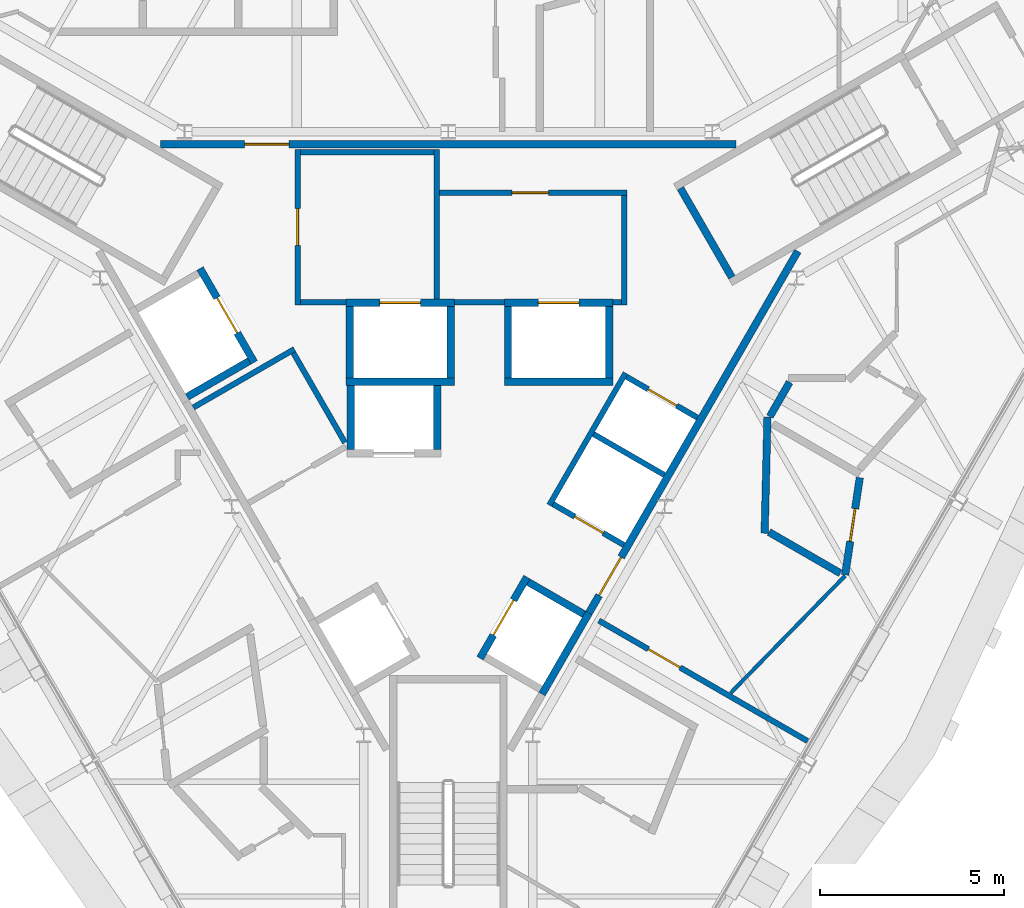
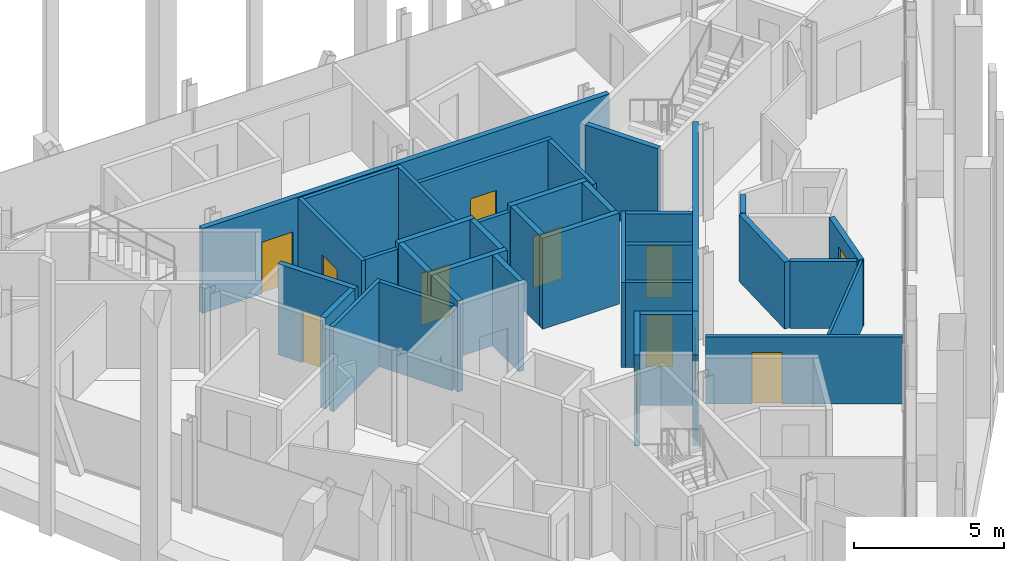
# One storey, part 9 of 13: 38 walls, 12 doors, 12 openings.
"""IFC4 building model written with IfcOpenShell, lengths in metres."""

from ifc_helpers import new_model, si_unit, direction, frame, frame_2d, origin, place, context, subcontext, project, spatial, rectangle, extrude, material, layer, layer_set, type_object, element, fill, save


model = new_model("IFC4")

# Units and contexts
model_context = context("Model", 3, precision=1e-05, world=origin(), true_north=direction((0.0, 1.0)))
body_context = subcontext(model_context, "Body", "Model", "MODEL_VIEW")
ifc_project = project(units=[si_unit("LENGTHUNIT", "METRE"), si_unit("AREAUNIT", "SQUARE_METRE"), si_unit("VOLUMEUNIT", "CUBIC_METRE"), si_unit("PLANEANGLEUNIT", "RADIAN"), si_unit("MASSUNIT", "GRAM", prefix="KILO")], contexts=[model_context])

# Site, building, storey
site_placement = place(None, origin())
site = spatial("IfcSite", under=ifc_project, at=site_placement, CompositionType="ELEMENT")
building_placement = place(site_placement, origin())
building = spatial("IfcBuilding", under=site, at=building_placement, Name="Verrane Prism Tower", CompositionType="ELEMENT")
storey_placement = place(building_placement, frame((0.0, 0.0, 275.10009765625)))
storey = spatial("IfcBuildingStorey", under=building, at=storey_placement, Name="L69", CompositionType="ELEMENT", Elevation=275.10009765625)

# Wall, opening, door
ifc_material_1 = material(Name="Gypsum board partition", Category="other")
ifc_layer_1 = layer(ifc_material_1, 0.199951171875)
ifc_layer_set_1 = layer_set([ifc_layer_1], Name="CW-200 core boundary wall 2 h")
wall_type_1 = type_object("IfcWallType", Name="CW-200 core boundary wall 2 h", PredefinedType="PARTITIONING", material=ifc_layer_set_1)
wall_1_placement = place(storey_placement, frame((7.8291015625, 6.4599609375, 0.0), z_axis=(0.0, 0.0, 1.0), x_axis=(-1.0, 0.0, 0.0)))
wall_1 = element("IfcWall", 1, at=wall_1_placement, inside=storey, type_object=wall_type_1, Name="Core boundary wall CW3-002", PredefinedType="PARTITIONING", context=body_context, shape_type="SweptSolid", body=[
    extrude(rectangle(XDim=15.658203125, YDim=0.199951171875, at=frame_2d((7.8291015625, 0.0))), origin(), (0.0, 0.0, 1.0), 3.449951171875),
])
opening_1_placement = place(wall_1_placement, frame((12.16796875, 0.0, 0.0)))
opening_1 = element("IfcOpeningElement", 2, at=opening_1_placement, cuts=wall_1, Name="Opening D69509", PredefinedType="OPENING", context=body_context, shape_type="SweptSolid", body=[
    extrude(rectangle(XDim=1.199951171875, YDim=2.10009765625, at=frame_2d((0.60009765625, 1.050048828125))), frame((0.0, 0.10986328125, 0.0), z_axis=(0.0, -1.0, 0.0), x_axis=(1.0, 0.0, 0.0)), (0.0, 0.0, 1.0), 0.219970703125),
])
ifc_material_2 = material(Name="Timber veneered door leaf", Category="wood")
door_type_1 = type_object("IfcDoorType", Name="DR-1200x2100 FD60 single leaf lift lobby", OperationType="NOTDEFINED", PredefinedType="DOOR", material=ifc_material_2)
door_1_placement = place(opening_1_placement, origin())
door_1 = element("IfcDoor", 3, at=door_1_placement, inside=storey, type_object=door_type_1, Name="Lift lobby door D69509", OperationType="SINGLE_SWING_RIGHT", OverallHeight=2.10009765625, OverallWidth=1.199951171875, PredefinedType="DOOR", context=body_context, shape_type="SweptSolid", body=[
    extrude(rectangle(XDim=1.199951171875, YDim=2.10009765625, at=frame_2d((0.60009765625, 1.050048828125))), frame((0.0, 0.02490234375, 0.0), z_axis=(0.0, -1.0, 0.0), x_axis=(1.0, 0.0, 0.0)), (0.0, 0.0, 1.0), 0.050048828125),
])
fill(opening_1, door_1)

wall_2_placement = place(storey_placement, frame((3.827880859375, -6.2900390625, 0.0), z_axis=(0.0, 0.0, 1.0), x_axis=(0.499979739078, 0.866037101117, 0.0)))
wall_2 = element("IfcWall", 4, at=wall_2_placement, inside=storey, type_object=wall_type_1, Name="Core boundary wall CW3-006", PredefinedType="PARTITIONING", context=body_context, shape_type="SweptSolid", body=[
    extrude(rectangle(XDim=11.36279296875, YDim=0.199951171875, at=frame_2d((5.681396484375, 0.0))), origin(), (0.0, 0.0, 1.0), 3.449951171875),
])
opening_2_placement = place(wall_2_placement, frame((0.550048828125, 0.0, 0.0)))
opening_2 = element("IfcOpeningElement", 5, at=opening_2_placement, cuts=wall_2, Name="Opening D69515", PredefinedType="OPENING", context=body_context, shape_type="SweptSolid", body=[
    extrude(rectangle(XDim=1.199951171875, YDim=2.10009765625, at=frame_2d((0.60009765625, 1.050048828125))), frame((0.0, 0.10986328125, 0.0), z_axis=(0.0, -1.0, 0.0), x_axis=(1.0, 0.0, 0.0)), (0.0, 0.0, 1.0), 0.219970703125),
])
door_2_placement = place(opening_2_placement, origin())
door_2 = element("IfcDoor", 6, at=door_2_placement, inside=storey, type_object=door_type_1, Name="Lift lobby door D69515", OperationType="SINGLE_SWING_RIGHT", OverallHeight=2.10009765625, OverallWidth=1.199951171875, PredefinedType="DOOR", context=body_context, shape_type="SweptSolid", body=[
    extrude(rectangle(XDim=1.199951171875, YDim=2.10009765625, at=frame_2d((0.60009765625, 1.050048828125))), frame((0.0, 0.02490234375, 0.0), z_axis=(0.0, -1.0, 0.0), x_axis=(1.0, 0.0, 0.0)), (0.0, 0.0, 1.0), 0.050048828125),
])
fill(opening_2, door_2)

# Walls
ifc_material_3 = material(Name="Concrete C40/50", Category="concrete")
ifc_layer_2 = layer(ifc_material_3, 0.199951171875)
ifc_layer_set_2 = layer_set([ifc_layer_2], Name="CW-200 stair core wall concrete C40/50 3 h")
wall_type_2 = type_object("IfcWallType", Name="CW-200 stair core wall concrete C40/50 3 h", PredefinedType="PARTITIONING", material=ifc_layer_set_2)
wall_3_placement = place(storey_placement, frame((7.71484375, 2.837646484375, 0.0), z_axis=(0.0, 0.0, 1.0), x_axis=(-0.500049511043, 0.865996816683, 0.0)))
element("IfcWall", 7, at=wall_3_placement, inside=storey, type_object=wall_type_2, Name="Stair 1 enclosure wall", PredefinedType="PARTITIONING", context=body_context, shape_type="SweptSolid", body=[
    extrude(rectangle(XDim=2.800048828125, YDim=0.199951171875, at=frame_2d((1.39990234375, 0.0))), origin(), (0.0, 0.0, 1.0), 3.449951171875),
])
ifc_material_4 = material(Name="Gypsum board shaft wall assembly", Category="other")
ifc_layer_3 = layer(ifc_material_4, 0.199951171875)
ifc_layer_set_3 = layer_set([ifc_layer_3], Name="HW-200 lift shaft wall 2 h")
wall_type_3 = type_object("IfcWallType", Name="HW-200 lift shaft wall 2 h", PredefinedType="PARTITIONING", material=ifc_layer_set_3)
wall_4_placement = place(storey_placement, frame((-2.784912109375, 0.0, 0.0), z_axis=(0.0, 0.0, 1.0), x_axis=(1.0, 0.0, 0.0)))
element("IfcWall", 8, at=wall_4_placement, inside=storey, type_object=wall_type_3, Name="Lift shaft wall", PredefinedType="PARTITIONING", context=body_context, shape_type="SweptSolid", body=[
    extrude(rectangle(XDim=2.949951171875, YDim=0.199951171875, at=frame_2d((1.47509765625, 0.0))), origin(), (0.0, 0.0, 1.0), 3.699951171875),
])
wall_5_placement = place(storey_placement, frame((1.52490234375, 0.0, 0.0), z_axis=(0.0, 0.0, 1.0), x_axis=(1.0, 0.0, 0.0)))
element("IfcWall", 9, at=wall_5_placement, inside=storey, type_object=wall_type_3, Name="Lift shaft wall", PredefinedType="PARTITIONING", context=body_context, shape_type="SweptSolid", body=[
    extrude(rectangle(XDim=2.9501953125, YDim=0.199951171875, at=frame_2d((1.47509765625, 0.0))), origin(), (0.0, 0.0, 1.0), 3.699951171875),
])

# Wall, opening, door
wall_6_placement = place(storey_placement, frame((-2.784912109375, 2.14990234375, 0.0), z_axis=(0.0, 0.0, 1.0), x_axis=(1.0, 0.0, 0.0)))
wall_6 = element("IfcWall", 10, at=wall_6_placement, inside=storey, type_object=wall_type_3, Name="Lift shaft wall", PredefinedType="PARTITIONING", context=body_context, shape_type="SweptSolid", body=[
    extrude(rectangle(XDim=2.949951171875, YDim=0.199951171875, at=frame_2d((1.47509765625, 0.0))), origin(), (0.0, 0.0, 1.0), 3.699951171875),
])
opening_3_placement = place(wall_6_placement, frame((0.925048828125, 0.0, 0.0)))
opening_3 = element("IfcOpeningElement", 11, at=opening_3_placement, cuts=wall_6, Name="Opening D69506", PredefinedType="OPENING", context=body_context, shape_type="SweptSolid", body=[
    extrude(rectangle(XDim=1.10009765625, YDim=2.10009765625, at=frame_2d((0.550048828125, 1.050048828125))), frame((0.0, 0.10986328125, 0.0), z_axis=(0.0, -1.0, 0.0), x_axis=(1.0, 0.0, 0.0)), (0.0, 0.0, 1.0), 0.219970703125),
])
ifc_material_5 = material(Name="Stainless steel sliding landing door", Category="steel")
door_type_2 = type_object("IfcDoorType", Name="LD-1100x2100 lift landing door FD90 sliding", OperationType="NOTDEFINED", PredefinedType="DOOR", material=ifc_material_5)
door_3_placement = place(opening_3_placement, origin())
door_3 = element("IfcDoor", 12, at=door_3_placement, inside=storey, type_object=door_type_2, Name="Fire service lift 1 landing door", OperationType="SLIDING_TO_LEFT", OverallHeight=2.10009765625, OverallWidth=1.10009765625, PredefinedType="DOOR", context=body_context, shape_type="SweptSolid", body=[
    extrude(rectangle(XDim=1.10009765625, YDim=2.10009765625, at=frame_2d((0.550048828125, 1.050048828125))), frame((0.0, 0.02490234375, 0.0), z_axis=(0.0, -1.0, 0.0), x_axis=(1.0, 0.0, 0.0)), (0.0, 0.0, 1.0), 0.050048828125),
])
fill(opening_3, door_3)

wall_7_placement = place(storey_placement, frame((1.52490234375, 2.14990234375, 0.0), z_axis=(0.0, 0.0, 1.0), x_axis=(1.0, 0.0, 0.0)))
wall_7 = element("IfcWall", 13, at=wall_7_placement, inside=storey, type_object=wall_type_3, Name="Lift shaft wall", PredefinedType="PARTITIONING", context=body_context, shape_type="SweptSolid", body=[
    extrude(rectangle(XDim=2.9501953125, YDim=0.199951171875, at=frame_2d((1.47509765625, 0.0))), origin(), (0.0, 0.0, 1.0), 3.699951171875),
])
opening_4_placement = place(wall_7_placement, frame((0.925048828125, 0.0, 0.0)))
opening_4 = element("IfcOpeningElement", 14, at=opening_4_placement, cuts=wall_7, Name="Opening D69507", PredefinedType="OPENING", context=body_context, shape_type="SweptSolid", body=[
    extrude(rectangle(XDim=1.10009765625, YDim=2.10009765625, at=frame_2d((0.550048828125, 1.050048828125))), frame((0.0, 0.10986328125, 0.0), z_axis=(0.0, -1.0, 0.0), x_axis=(1.0, 0.0, 0.0)), (0.0, 0.0, 1.0), 0.219970703125),
])
door_4_placement = place(opening_4_placement, origin())
door_4 = element("IfcDoor", 15, at=door_4_placement, inside=storey, type_object=door_type_2, Name="Fire service lift 2 landing door", OperationType="SLIDING_TO_RIGHT", OverallHeight=2.10009765625, OverallWidth=1.10009765625, PredefinedType="DOOR", context=body_context, shape_type="SweptSolid", body=[
    extrude(rectangle(XDim=1.10009765625, YDim=2.10009765625, at=frame_2d((0.550048828125, 1.050048828125))), frame((0.0, 0.02490234375, 0.0), z_axis=(0.0, -1.0, 0.0), x_axis=(1.0, 0.0, 0.0)), (0.0, 0.0, 1.0), 0.050048828125),
])
fill(opening_4, door_4)

# Walls
wall_8_placement = place(storey_placement, frame((-7.10546875, -0.4130859375, 0.0), z_axis=(0.0, 0.0, 1.0), x_axis=(0.866000020948, 0.500043961785, 0.0)))
element("IfcWall", 16, at=wall_8_placement, inside=storey, type_object=wall_type_3, Name="Lift shaft wall", PredefinedType="PARTITIONING", context=body_context, shape_type="SweptSolid", body=[
    extrude(rectangle(XDim=1.949951171875, YDim=0.199951171875, at=frame_2d((0.97509765625, 0.0))), origin(), (0.0, 0.0, 1.0), 3.699951171875),
])
wall_9_placement = place(storey_placement, frame((2.552001953125, -8.499755859375, 0.0), z_axis=(0.0, 0.0, 1.0), x_axis=(0.499990435942, 0.866030925526, 0.0)))
element("IfcWall", 17, at=wall_9_placement, inside=storey, type_object=wall_type_3, Name="Lift shaft wall", PredefinedType="PARTITIONING", context=body_context, shape_type="SweptSolid", body=[
    extrude(rectangle(XDim=2.5498046875, YDim=0.199951171875, at=frame_2d((1.27490234375, 0.0))), origin(), (0.0, 0.0, 1.0), 3.699951171875),
])

# Wall, opening, door
wall_10_placement = place(storey_placement, frame((0.86328125, -7.524658203125, 0.0), z_axis=(0.0, 0.0, 1.0), x_axis=(0.499990435942, 0.866030925526, 0.0)))
wall_10 = element("IfcWall", 18, at=wall_10_placement, inside=storey, type_object=wall_type_3, Name="Lift shaft wall", PredefinedType="PARTITIONING", context=body_context, shape_type="SweptSolid", body=[
    extrude(rectangle(XDim=2.5498046875, YDim=0.199951171875, at=frame_2d((1.27490234375, 0.0))), origin(), (0.0, 0.0, 1.0), 3.699951171875),
])
opening_5_placement = place(wall_10_placement, frame((0.72509765625, 0.0, 0.0)))
opening_5 = element("IfcOpeningElement", 19, at=opening_5_placement, cuts=wall_10, Name="Opening D69505", PredefinedType="OPENING", context=body_context, shape_type="SweptSolid", body=[
    extrude(rectangle(XDim=1.10009765625, YDim=2.10009765625, at=frame_2d((0.550048828125, 1.050048828125))), frame((0.0, 0.10986328125, 0.0), z_axis=(0.0, -1.0, 0.0), x_axis=(1.0, 0.0, 0.0)), (0.0, 0.0, 1.0), 0.219970703125),
])
door_5_placement = place(opening_5_placement, origin())
door_5 = element("IfcDoor", 20, at=door_5_placement, inside=storey, type_object=door_type_2, Name="Bank C lift 3 landing door", OperationType="SLIDING_TO_LEFT", OverallHeight=2.10009765625, OverallWidth=1.10009765625, PredefinedType="DOOR", context=body_context, shape_type="SweptSolid", body=[
    extrude(rectangle(XDim=1.10009765625, YDim=2.10009765625, at=frame_2d((0.550048828125, 1.050048828125))), frame((0.0, 0.02490234375, 0.0), z_axis=(0.0, -1.0, 0.0), x_axis=(1.0, 0.0, 0.0)), (0.0, 0.0, 1.0), 0.050048828125),
])
fill(opening_5, door_5)

# Walls
for number, where, z_axis, x_axis, name in (
    (21, (4.375, 0.10009765625, 0.0), (0.0, 0.0, 1.0), (0.0, 1.0, 0.0), "Lift shaft wall"),
    (22, (1.625, 0.10009765625, 0.0), (0.0, 0.0, 1.0), (0.0, 1.0, 0.0), "Lift shaft wall"),
    (23, (0.06494140625, 0.10009765625, 0.0), (0.0, 0.0, 1.0), (0.0, 1.0, 0.0), "Lift shaft wall"),
):
    element("IfcWall", number, at=place(storey_placement, frame(where, z_axis=z_axis, x_axis=x_axis)), inside=storey, type_object=wall_type_3, Name=name, PredefinedType="PARTITIONING", context=body_context, shape_type="SweptSolid", body=[
        extrude(rectangle(XDim=1.949951171875, YDim=0.199951171875, at=frame_2d((0.97509765625, 0.0))), origin(), (0.0, 0.0, 1.0), 3.699951171875),
    ])
for number, where, z_axis, x_axis, name in (
    (24, (-0.304931640625, -1.85009765625, 0.0), (0.0, 0.0, 1.0), (0.0, 1.0, 0.0), "Lift shaft wall"),
    (25, (-2.655029296875, -1.85009765625, 0.0), (0.0, 0.0, 1.0), (0.0, 1.0, 0.0), "Lift shaft wall"),
):
    element("IfcWall", number, at=place(storey_placement, frame(where, z_axis=z_axis, x_axis=x_axis)), inside=storey, type_object=wall_type_3, Name=name, PredefinedType="PARTITIONING", context=body_context, shape_type="SweptSolid", body=[
        extrude(rectangle(XDim=1.75, YDim=0.199951171875, at=frame_2d((0.875, 0.0))), origin(), (0.0, 0.0, 1.0), 3.699951171875),
    ])
wall_11_placement = place(storey_placement, frame((-2.68505859375, 0.10009765625, 0.0), z_axis=(0.0, 0.0, 1.0), x_axis=(0.0, 1.0, 0.0)))
element("IfcWall", 26, at=wall_11_placement, inside=storey, type_object=wall_type_3, Name="Lift shaft wall", PredefinedType="PARTITIONING", context=body_context, shape_type="SweptSolid", body=[
    extrude(rectangle(XDim=1.949951171875, YDim=0.199951171875, at=frame_2d((0.97509765625, 0.0))), origin(), (0.0, 0.0, 1.0), 3.699951171875),
])

# Wall, opening, door
wall_12_placement = place(storey_placement, frame((-5.280029296875, 0.525390625, 0.0), z_axis=(0.0, 0.0, 1.0), x_axis=(-0.500037662692, 0.866003658127, 0.0)))
wall_12 = element("IfcWall", 27, at=wall_12_placement, inside=storey, type_object=wall_type_3, Name="Lift shaft wall", PredefinedType="PARTITIONING", context=body_context, shape_type="SweptSolid", body=[
    extrude(rectangle(XDim=2.949951171875, YDim=0.199951171875, at=frame_2d((1.47509765625, 0.0))), origin(), (0.0, 0.0, 1.0), 3.699951171875),
])
opening_6_placement = place(wall_12_placement, frame((0.925048828125, 0.0, 0.0)))
opening_6 = element("IfcOpeningElement", 28, at=opening_6_placement, cuts=wall_12, Name="Opening D69508", PredefinedType="OPENING", context=body_context, shape_type="SweptSolid", body=[
    extrude(rectangle(XDim=1.10009765625, YDim=2.10009765625, at=frame_2d((0.550048828125, 1.050048828125))), frame((0.0, 0.10986328125, 0.0), z_axis=(0.0, -1.0, 0.0), x_axis=(1.0, 0.0, 0.0)), (0.0, 0.0, 1.0), 0.219970703125),
])
door_6_placement = place(opening_6_placement, origin())
door_6 = element("IfcDoor", 29, at=door_6_placement, inside=storey, type_object=door_type_2, Name="Service lift 1 landing door", OperationType="SLIDING_TO_LEFT", OverallHeight=2.10009765625, OverallWidth=1.10009765625, PredefinedType="DOOR", context=body_context, shape_type="SweptSolid", body=[
    extrude(rectangle(XDim=1.10009765625, YDim=2.10009765625, at=frame_2d((0.550048828125, 1.050048828125))), frame((0.0, 0.02490234375, 0.0), z_axis=(0.0, -1.0, 0.0), x_axis=(1.0, 0.0, 0.0)), (0.0, 0.0, 1.0), 0.050048828125),
])
fill(opening_6, door_6)

# Wall
wall_13_placement = place(storey_placement, frame((3.6904296875, -6.327880859375, 0.0), z_axis=(0.0, 0.0, 1.0), x_axis=(-0.866036909293, 0.499980071345, 0.0)))
element("IfcWall", 30, at=wall_13_placement, inside=storey, type_object=wall_type_3, Name="Lift shaft wall", PredefinedType="PARTITIONING", context=body_context, shape_type="SweptSolid", body=[
    extrude(rectangle(XDim=1.75, YDim=0.199951171875, at=frame_2d((0.875, 0.0))), origin(), (0.0, 0.0, 1.0), 3.699951171875),
])

# Wall, opening, door
ifc_material_6 = material(Name="Gypsum board partition", Category="other")
ifc_layer_4 = layer(ifc_material_6, 0.14990234375)
ifc_layer_set_4 = layer_set([ifc_layer_4], Name="LF-150 firefighting lobby wall 1 h")
wall_type_4 = type_object("IfcWallType", Name="LF-150 firefighting lobby wall 1 h", PredefinedType="PARTITIONING", material=ifc_layer_set_4)
wall_14_placement = place(storey_placement, frame((-4.10009765625, 2.0849609375, 0.0), z_axis=(0.0, 0.0, 1.0), x_axis=(0.0, 1.0, 0.0)))
wall_14 = element("IfcWall", 31, at=wall_14_placement, inside=storey, type_object=wall_type_4, Name="Firefighting lobby wall LF1-001", PredefinedType="PARTITIONING", context=body_context, shape_type="SweptSolid", body=[
    extrude(rectangle(XDim=4.22998046875, YDim=0.14990234375, at=frame_2d((2.114990234375, 0.0))), origin(), (0.0, 0.0, 1.0), 3.449951171875),
])
opening_7_placement = place(wall_14_placement, frame((1.625, 0.0, 0.0)))
opening_7 = element("IfcOpeningElement", 32, at=opening_7_placement, cuts=wall_14, Name="Opening D69512", PredefinedType="OPENING", context=body_context, shape_type="SweptSolid", body=[
    extrude(rectangle(XDim=1.0, YDim=2.10009765625, at=frame_2d((0.5, 1.050048828125))), frame((0.0, 0.0849609375, 0.0), z_axis=(0.0, -1.0, 0.0), x_axis=(1.0, 0.0, 0.0)), (0.0, 0.0, 1.0), 0.169921875),
])
ifc_material_7 = material(Name="Timber veneered door leaf", Category="wood")
door_type_3 = type_object("IfcDoorType", Name="DR-1000x2100 FD60 single leaf firefighting lobby", OperationType="NOTDEFINED", PredefinedType="DOOR", material=ifc_material_7)
door_7_placement = place(opening_7_placement, origin())
door_7 = element("IfcDoor", 33, at=door_7_placement, inside=storey, type_object=door_type_3, Name="Firefighting lobby door D69512", OperationType="SINGLE_SWING_RIGHT", OverallHeight=2.10009765625, OverallWidth=1.0, PredefinedType="DOOR", context=body_context, shape_type="SweptSolid", body=[
    extrude(rectangle(XDim=1.0, YDim=2.10009765625, at=frame_2d((0.5, 1.050048828125))), frame((0.0, 0.02490234375, 0.0), z_axis=(0.0, -1.0, 0.0), x_axis=(1.0, 0.0, 0.0)), (0.0, 0.0, 1.0), 0.050048828125),
])
fill(opening_7, door_7)

# Walls
wall_15_placement = place(storey_placement, frame((-4.02490234375, 2.159912109375, 0.0), z_axis=(0.0, 0.0, 1.0), x_axis=(1.0, 0.0, 0.0)))
element("IfcWall", 34, at=wall_15_placement, inside=storey, type_object=wall_type_4, Name="Firefighting lobby wall LF1-002", PredefinedType="PARTITIONING", context=body_context, shape_type="SweptSolid", body=[
    extrude(rectangle(XDim=1.23779296875, YDim=0.14990234375, at=frame_2d((0.618896484375, 0.0))), origin(), (0.0, 0.0, 1.0), 3.449951171875),
])
wall_16_placement = place(storey_placement, frame((-4.02490234375, 6.239990234375, 0.0), z_axis=(0.0, 0.0, 1.0), x_axis=(1.0, 0.0, 0.0)))
element("IfcWall", 35, at=wall_16_placement, inside=storey, type_object=wall_type_4, Name="Firefighting lobby wall LF1-003", PredefinedType="PARTITIONING", context=body_context, shape_type="SweptSolid", body=[
    extrude(rectangle(XDim=3.6298828125, YDim=0.14990234375, at=frame_2d((1.81494140625, 0.0))), origin(), (0.0, 0.0, 1.0), 3.449951171875),
])
wall_17_placement = place(storey_placement, frame((-0.320068359375, 2.251953125, 0.0), z_axis=(0.0, 0.0, 1.0), x_axis=(0.0, 1.0, 0.0)))
element("IfcWall", 36, at=wall_17_placement, inside=storey, type_object=wall_type_4, Name="Firefighting lobby wall LF1-004", PredefinedType="PARTITIONING", context=body_context, shape_type="SweptSolid", body=[
    extrude(rectangle(XDim=4.06298828125, YDim=0.14990234375, at=frame_2d((2.031494140625, 0.0))), origin(), (0.0, 0.0, 1.0), 3.449951171875),
])

# Wall, opening, door
wall_18_placement = place(storey_placement, frame((-0.2451171875, 5.139892578125, 0.0), z_axis=(0.0, 0.0, 1.0), x_axis=(1.0, 0.0, 0.0)))
wall_18 = element("IfcWall", 37, at=wall_18_placement, inside=storey, type_object=wall_type_4, Name="Firefighting lobby wall LF1-005", PredefinedType="PARTITIONING", context=body_context, shape_type="SweptSolid", body=[
    extrude(rectangle(XDim=5.110107421875, YDim=0.14990234375, at=frame_2d((2.55517578125, 0.0))), origin(), (0.0, 0.0, 1.0), 3.449951171875),
])
opening_8_placement = place(wall_18_placement, frame((1.97509765625, 0.0, 0.0)))
opening_8 = element("IfcOpeningElement", 38, at=opening_8_placement, cuts=wall_18, Name="Opening D69513", PredefinedType="OPENING", context=body_context, shape_type="SweptSolid", body=[
    extrude(rectangle(XDim=1.0, YDim=2.10009765625, at=frame_2d((0.5, 1.050048828125))), frame((0.0, 0.0849609375, 0.0), z_axis=(0.0, -1.0, 0.0), x_axis=(1.0, 0.0, 0.0)), (0.0, 0.0, 1.0), 0.169921875),
])
door_8_placement = place(opening_8_placement, origin())
door_8 = element("IfcDoor", 39, at=door_8_placement, inside=storey, type_object=door_type_3, Name="Firefighting lobby door D69513", OperationType="SINGLE_SWING_LEFT", OverallHeight=2.10009765625, OverallWidth=1.0, PredefinedType="DOOR", context=body_context, shape_type="SweptSolid", body=[
    extrude(rectangle(XDim=1.0, YDim=2.10009765625, at=frame_2d((0.5, 1.050048828125))), frame((0.0, 0.02490234375, 0.0), z_axis=(0.0, -1.0, 0.0), x_axis=(1.0, 0.0, 0.0)), (0.0, 0.0, 1.0), 0.050048828125),
])
fill(opening_8, door_8)

# Walls
wall_19_placement = place(storey_placement, frame((0.1669921875, 2.159912109375, 0.0), z_axis=(0.0, 0.0, 1.0), x_axis=(1.0, 0.0, 0.0)))
element("IfcWall", 40, at=wall_19_placement, inside=storey, type_object=wall_type_4, Name="Firefighting lobby wall LF1-006", PredefinedType="PARTITIONING", context=body_context, shape_type="SweptSolid", body=[
    extrude(rectangle(XDim=1.35595703125, YDim=0.14990234375, at=frame_2d((0.677978515625, 0.0))), origin(), (0.0, 0.0, 1.0), 3.449951171875),
])
wall_20_placement = place(storey_placement, frame((4.47705078125, 2.159912109375, 0.0), z_axis=(0.0, 0.0, 1.0), x_axis=(1.0, 0.0, 0.0)))
element("IfcWall", 41, at=wall_20_placement, inside=storey, type_object=wall_type_4, Name="Firefighting lobby wall LF1-007", PredefinedType="PARTITIONING", context=body_context, shape_type="SweptSolid", body=[
    extrude(rectangle(XDim=0.238037109375, YDim=0.14990234375, at=frame_2d((0.119140625, 0.0))), origin(), (0.0, 0.0, 1.0), 3.449951171875),
])
wall_21_placement = place(storey_placement, frame((4.7900390625, 2.0849609375, 0.0), z_axis=(0.0, 0.0, 1.0), x_axis=(0.0, 1.0, 0.0)))
element("IfcWall", 42, at=wall_21_placement, inside=storey, type_object=wall_type_4, Name="Firefighting lobby wall LF1-008", PredefinedType="PARTITIONING", context=body_context, shape_type="SweptSolid", body=[
    extrude(rectangle(XDim=2.97998046875, YDim=0.14990234375, at=frame_2d((1.489990234375, 0.0))), origin(), (0.0, 0.0, 1.0), 3.449951171875),
])
ifc_material_8 = material(Name="Gypsum board partition", Category="other")
ifc_layer_5 = layer(ifc_material_8, 0.10009765625)
ifc_layer_set_5 = layer_set([ifc_layer_5], Name="PW-100 room partition")
wall_type_5 = type_object("IfcWallType", Name="PW-100 room partition", PredefinedType="PARTITIONING", material=ifc_layer_set_5)
wall_22_placement = place(storey_placement, frame((7.68212890625, -8.470458984375, 0.0), z_axis=(0.0, 0.0, 1.0), x_axis=(0.698777378461, 0.715339203002, 0.0)))
element("IfcWall", 43, at=wall_22_placement, inside=storey, type_object=wall_type_5, Name="Room partition 055", PredefinedType="PARTITIONING", context=body_context, shape_type="SweptSolid", body=[
    extrude(rectangle(XDim=4.451904296875, YDim=0.10009765625, at=frame_2d((2.22607421875, 0.0))), origin(), (0.0, 0.0, 1.0), 2.722900390625),
])

# Wall, opening, door
ifc_material_9 = material(Name="Gypsum board partition", Category="other")
ifc_layer_6 = layer(ifc_material_9, 0.14990234375)
ifc_layer_set_6 = layer_set([ifc_layer_6], Name="PW-150 demising wall 1 h")
wall_type_6 = type_object("IfcWallType", Name="PW-150 demising wall 1 h", PredefinedType="PARTITIONING", material=ifc_layer_set_6)
wall_23_placement = place(storey_placement, frame((9.771728515625, -9.77685546875, 0.0), z_axis=(0.0, 0.0, 1.0), x_axis=(-0.866083818164, 0.499898809675, 0.0)))
wall_23 = element("IfcWall", 44, at=wall_23_placement, inside=storey, type_object=wall_type_6, Name="Demising wall 052", PredefinedType="PARTITIONING", context=body_context, shape_type="SweptSolid", body=[
    extrude(rectangle(XDim=6.551025390625, YDim=0.14990234375, at=frame_2d((3.275390625, 0.0))), origin(), (0.0, 0.0, 1.0), 2.722900390625),
])
opening_9_placement = place(wall_23_placement, frame((4.0009765625, 0.0, 0.0)))
opening_9 = element("IfcOpeningElement", 45, at=opening_9_placement, cuts=wall_23, Name="Opening D69002", PredefinedType="OPENING", context=body_context, shape_type="SweptSolid", body=[
    extrude(rectangle(XDim=1.0, YDim=2.10009765625, at=frame_2d((0.5, 1.050048828125))), frame((0.0, 0.0849609375, 0.0), z_axis=(0.0, -1.0, 0.0), x_axis=(1.0, 0.0, 0.0)), (0.0, 0.0, 1.0), 0.169921875),
])
ifc_material_10 = material(Name="Timber veneered door leaf", Category="wood")
door_type_4 = type_object("IfcDoorType", Name="DR-1000x2100 FD20 single leaf inner", OperationType="NOTDEFINED", PredefinedType="DOOR", material=ifc_material_10)
door_9_placement = place(opening_9_placement, origin())
door_9 = element("IfcDoor", 46, at=door_9_placement, inside=storey, type_object=door_type_4, Name="Entrance Foyer door", OperationType="SINGLE_SWING_LEFT", OverallHeight=2.10009765625, OverallWidth=1.0, PredefinedType="DOOR", context=body_context, shape_type="SweptSolid", body=[
    extrude(rectangle(XDim=1.0, YDim=2.10009765625, at=frame_2d((0.5, 1.050048828125))), frame((0.0, 0.02490234375, 0.0), z_axis=(0.0, -1.0, 0.0), x_axis=(1.0, 0.0, 0.0)), (0.0, 0.0, 1.0), 0.050048828125),
])
fill(opening_9, door_9)

# Walls
ifc_material_11 = material(Name="Gypsum board partition", Category="other")
ifc_layer_7 = layer(ifc_material_11, 0.199951171875)
ifc_layer_set_7 = layer_set([ifc_layer_7], Name="PW-200 plumbing wall")
wall_type_7 = type_object("IfcWallType", Name="PW-200 plumbing wall", PredefinedType="PARTITIONING", material=ifc_layer_set_7)
wall_24_placement = place(storey_placement, frame((8.606689453125, -4.125, 0.0), z_axis=(0.0, 0.0, 1.0), x_axis=(0.024245593124, 0.999706032399, 0.0)))
element("IfcWall", 47, at=wall_24_placement, inside=storey, type_object=wall_type_7, Name="Plumbing wall 056", PredefinedType="PARTITIONING", context=body_context, shape_type="SweptSolid", body=[
    extrude(rectangle(XDim=3.161865234375, YDim=0.199951171875, at=frame_2d((1.5810546875, 0.0))), origin(), (0.0, 0.0, 1.0), 2.722900390625),
])
wall_25_placement = place(storey_placement, frame((8.725830078125, -4.092529296875, 0.0), z_axis=(0.0, 0.0, 1.0), x_axis=(0.866056839033, -0.499945548598, 0.0)))
element("IfcWall", 48, at=wall_25_placement, inside=storey, type_object=wall_type_7, Name="Plumbing wall 057", PredefinedType="PARTITIONING", context=body_context, shape_type="SweptSolid", body=[
    extrude(rectangle(XDim=2.241943359375, YDim=0.199951171875, at=frame_2d((1.12109375, 0.0))), origin(), (0.0, 0.0, 1.0), 2.722900390625),
])
wall_26_placement = place(storey_placement, frame((8.74853515625, -0.947021484375, 0.0), z_axis=(0.0, 0.0, 1.0), x_axis=(0.499656913366, 0.866223394354, 0.0)))
element("IfcWall", 49, at=wall_26_placement, inside=storey, type_object=wall_type_7, Name="Plumbing wall 058", PredefinedType="PARTITIONING", context=body_context, shape_type="SweptSolid", body=[
    extrude(rectangle(XDim=1.074951171875, YDim=0.199951171875, at=frame_2d((0.53759765625, 0.0))), origin(), (0.0, 0.0, 1.0), 2.722900390625),
])

# Wall, opening, door
wall_27_placement = place(storey_placement, frame((10.79736328125, -5.25634765625, 0.0), z_axis=(0.0, 0.0, 1.0), x_axis=(0.148961207986, 0.988843040384, 0.0)))
wall_27 = element("IfcWall", 50, at=wall_27_placement, inside=storey, type_object=wall_type_7, Name="Plumbing wall 062", PredefinedType="PARTITIONING", context=body_context, shape_type="SweptSolid", body=[
    extrude(rectangle(XDim=2.673095703125, YDim=0.199951171875, at=frame_2d((1.33642578125, 0.0))), origin(), (0.0, 0.0, 1.0), 2.722900390625),
])
opening_10_placement = place(wall_27_placement, frame((0.919921875, 0.0, 0.0)))
opening_10 = element("IfcOpeningElement", 51, at=opening_10_placement, cuts=wall_27, Name="Opening D69007", PredefinedType="OPENING", context=body_context, shape_type="SweptSolid", body=[
    extrude(rectangle(XDim=0.89990234375, YDim=2.10009765625, at=frame_2d((0.449951171875, 1.050048828125))), frame((0.0, 0.10986328125, 0.0), z_axis=(0.0, -1.0, 0.0), x_axis=(1.0, 0.0, 0.0)), (0.0, 0.0, 1.0), 0.219970703125),
])
ifc_material_12 = material(Name="Timber veneered door leaf", Category="wood")
door_type_5 = type_object("IfcDoorType", Name="DR-900x2100 single leaf inner", OperationType="NOTDEFINED", PredefinedType="DOOR", material=ifc_material_12)
door_10_placement = place(opening_10_placement, origin())
door_10 = element("IfcDoor", 52, at=door_10_placement, inside=storey, type_object=door_type_5, Name="Kitchen door", OperationType="SINGLE_SWING_LEFT", OverallHeight=2.10009765625, OverallWidth=0.89990234375, PredefinedType="DOOR", context=body_context, shape_type="SweptSolid", body=[
    extrude(rectangle(XDim=0.89990234375, YDim=2.10009765625, at=frame_2d((0.449951171875, 1.050048828125))), frame((0.0, 0.02490234375, 0.0), z_axis=(0.0, -1.0, 0.0), x_axis=(1.0, 0.0, 0.0)), (0.0, 0.0, 1.0), 0.050048828125),
])
fill(opening_10, door_10)

# Walls
ifc_material_13 = material(Name="Gypsum board partition", Category="other")
ifc_layer_8 = layer(ifc_material_13, 0.14990234375)
ifc_layer_set_8 = layer_set([ifc_layer_8], Name="RS-150 riser enclosure wall 1 h")
wall_type_8 = type_object("IfcWallType", Name="RS-150 riser enclosure wall 1 h", PredefinedType="PARTITIONING", material=ifc_layer_set_8)
wall_28_placement = place(storey_placement, frame((-6.9375, -0.702880859375, 0.0), z_axis=(0.0, 0.0, 1.0), x_axis=(0.866029357279, 0.499993152284, 0.0)))
element("IfcWall", 53, at=wall_28_placement, inside=storey, type_object=wall_type_8, Name="Riser wall RS3-001", PredefinedType="PARTITIONING", context=body_context, shape_type="SweptSolid", body=[
    extrude(rectangle(XDim=3.1748046875, YDim=0.14990234375, at=frame_2d((1.58740234375, 0.0))), origin(), (0.0, 0.0, 1.0), 3.449951171875),
])
wall_29_placement = place(storey_placement, frame((-4.215576171875, 0.781982421875, 0.0), z_axis=(0.0, 0.0, 1.0), x_axis=(0.498733469436, -0.866755401751, 0.0)))
element("IfcWall", 54, at=wall_29_placement, inside=storey, type_object=wall_type_8, Name="Riser wall RS3-003", PredefinedType="PARTITIONING", context=body_context, shape_type="SweptSolid", body=[
    extrude(rectangle(XDim=2.814697265625, YDim=0.14990234375, at=frame_2d((1.4072265625, 0.0))), origin(), (0.0, 0.0, 1.0), 3.449951171875),
])
wall_30_placement = place(storey_placement, frame((2.74853515625, -3.35888671875, 0.0), z_axis=(0.0, 0.0, 1.0), x_axis=(0.500017827812, 0.866015110648, 0.0)))
element("IfcWall", 55, at=wall_30_placement, inside=storey, type_object=wall_type_8, Name="Riser wall RS3-004", PredefinedType="PARTITIONING", context=body_context, shape_type="SweptSolid", body=[
    extrude(rectangle(XDim=4.149658203125, YDim=0.14990234375, at=frame_2d((2.07470703125, 0.0))), origin(), (0.0, 0.0, 1.0), 3.449951171875),
])

# Wall, opening, door
wall_31_placement = place(storey_placement, frame((2.85107421875, -3.33154296875, 0.0), z_axis=(0.0, 0.0, 1.0), x_axis=(0.866110524189, -0.499852538144, 0.0)))
wall_31 = element("IfcWall", 56, at=wall_31_placement, inside=storey, type_object=wall_type_8, Name="Riser wall RS3-005", PredefinedType="PARTITIONING", context=body_context, shape_type="SweptSolid", body=[
    extrude(rectangle(XDim=2.220458984375, YDim=0.14990234375, at=frame_2d((1.1103515625, 0.0))), origin(), (0.0, 0.0, 1.0), 3.449951171875),
])
opening_11_placement = place(wall_31_placement, frame((0.675048828125, 0.0, 0.0)))
opening_11 = element("IfcOpeningElement", 57, at=opening_11_placement, cuts=wall_31, Name="Opening D69514", PredefinedType="OPENING", context=body_context, shape_type="SweptSolid", body=[
    extrude(rectangle(XDim=0.89990234375, YDim=2.10009765625, at=frame_2d((0.449951171875, 1.050048828125))), frame((0.0, 0.0849609375, 0.0), z_axis=(0.0, -1.0, 0.0), x_axis=(1.0, 0.0, 0.0)), (0.0, 0.0, 1.0), 0.169921875),
])
ifc_material_14 = material(Name="Timber veneered door leaf", Category="wood")
door_type_6 = type_object("IfcDoorType", Name="DR-900x2100 FD60 single leaf riser", OperationType="NOTDEFINED", PredefinedType="DOOR", material=ifc_material_14)
door_11_placement = place(opening_11_placement, origin())
door_11 = element("IfcDoor", 58, at=door_11_placement, inside=storey, type_object=door_type_6, Name="Riser door D69514", OperationType="SINGLE_SWING_RIGHT", OverallHeight=2.10009765625, OverallWidth=0.89990234375, PredefinedType="DOOR", context=body_context, shape_type="SweptSolid", body=[
    extrude(rectangle(XDim=0.89990234375, YDim=2.10009765625, at=frame_2d((0.449951171875, 1.050048828125))), frame((0.0, 0.02490234375, 0.0), z_axis=(0.0, -1.0, 0.0), x_axis=(1.0, 0.0, 0.0)), (0.0, 0.0, 1.0), 0.050048828125),
])
fill(opening_11, door_11)

# Wall
wall_32_placement = place(storey_placement, frame((3.950927734375, -1.426513671875, 0.0), z_axis=(0.0, 0.0, 1.0), x_axis=(0.866062920605, -0.499935013329, 0.0)))
element("IfcWall", 59, at=wall_32_placement, inside=storey, type_object=wall_type_8, Name="Riser wall RS3-006", PredefinedType="PARTITIONING", context=body_context, shape_type="SweptSolid", body=[
    extrude(rectangle(XDim=2.220458984375, YDim=0.14990234375, at=frame_2d((1.1103515625, 0.0))), origin(), (0.0, 0.0, 1.0), 3.449951171875),
])

# Wall, opening, door
wall_33_placement = place(storey_placement, frame((6.774169921875, -0.9775390625, 0.0), z_axis=(0.0, 0.0, 1.0), x_axis=(-0.866062920605, 0.499935013329, 0.0)))
wall_33 = element("IfcWall", 60, at=wall_33_placement, inside=storey, type_object=wall_type_8, Name="Riser wall RS3-007", PredefinedType="PARTITIONING", context=body_context, shape_type="SweptSolid", body=[
    extrude(rectangle(XDim=2.220458984375, YDim=0.14990234375, at=frame_2d((1.1103515625, 0.0))), origin(), (0.0, 0.0, 1.0), 3.449951171875),
])
opening_12_placement = place(wall_33_placement, frame((0.6455078125, 0.0, 0.0)))
opening_12 = element("IfcOpeningElement", 61, at=opening_12_placement, cuts=wall_33, Name="Opening D69516", PredefinedType="OPENING", context=body_context, shape_type="SweptSolid", body=[
    extrude(rectangle(XDim=0.89990234375, YDim=2.10009765625, at=frame_2d((0.449951171875, 1.050048828125))), frame((0.0, 0.0849609375, 0.0), z_axis=(0.0, -1.0, 0.0), x_axis=(1.0, 0.0, 0.0)), (0.0, 0.0, 1.0), 0.169921875),
])
door_12_placement = place(opening_12_placement, origin())
door_12 = element("IfcDoor", 62, at=door_12_placement, inside=storey, type_object=door_type_6, Name="Riser door D69516", OperationType="SINGLE_SWING_RIGHT", OverallHeight=2.10009765625, OverallWidth=0.89990234375, PredefinedType="DOOR", context=body_context, shape_type="SweptSolid", body=[
    extrude(rectangle(XDim=0.89990234375, YDim=2.10009765625, at=frame_2d((0.449951171875, 1.050048828125))), frame((0.0, 0.02490234375, 0.0), z_axis=(0.0, -1.0, 0.0), x_axis=(1.0, 0.0, 0.0)), (0.0, 0.0, 1.0), 0.050048828125),
])
fill(opening_12, door_12)

save(model, "model.ifc")
